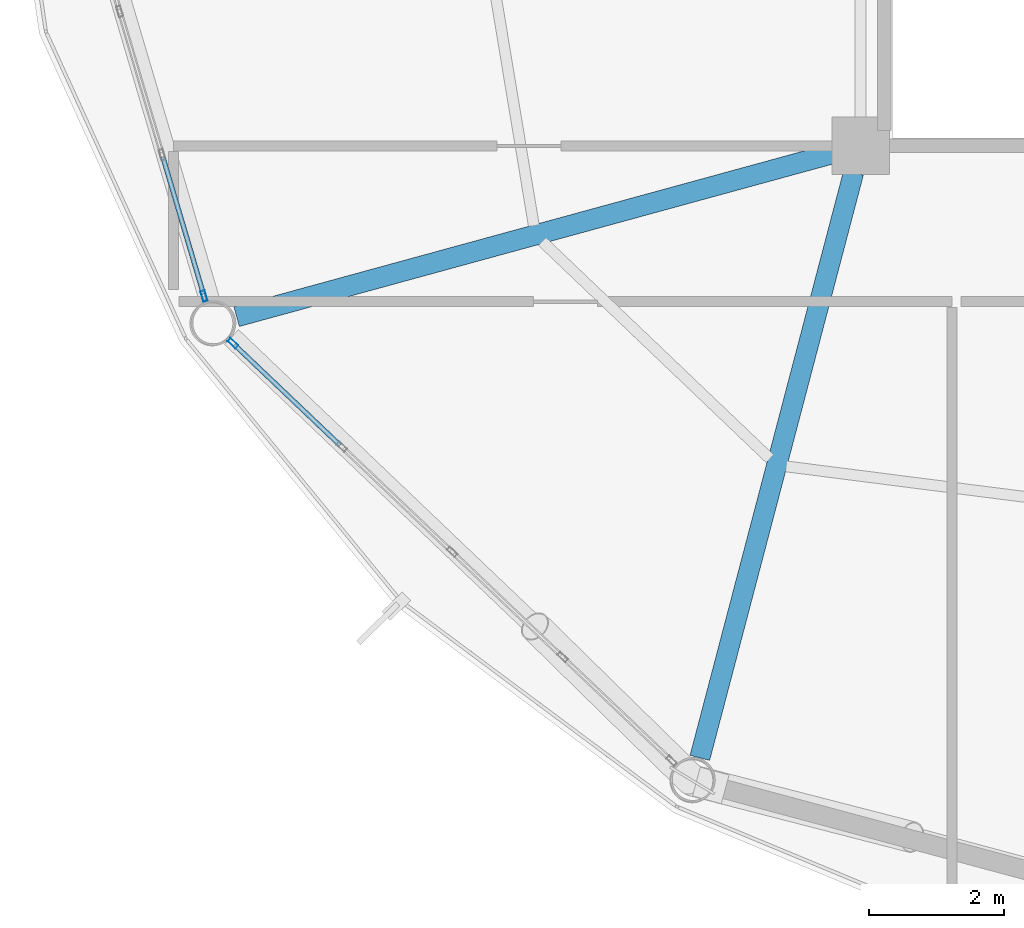
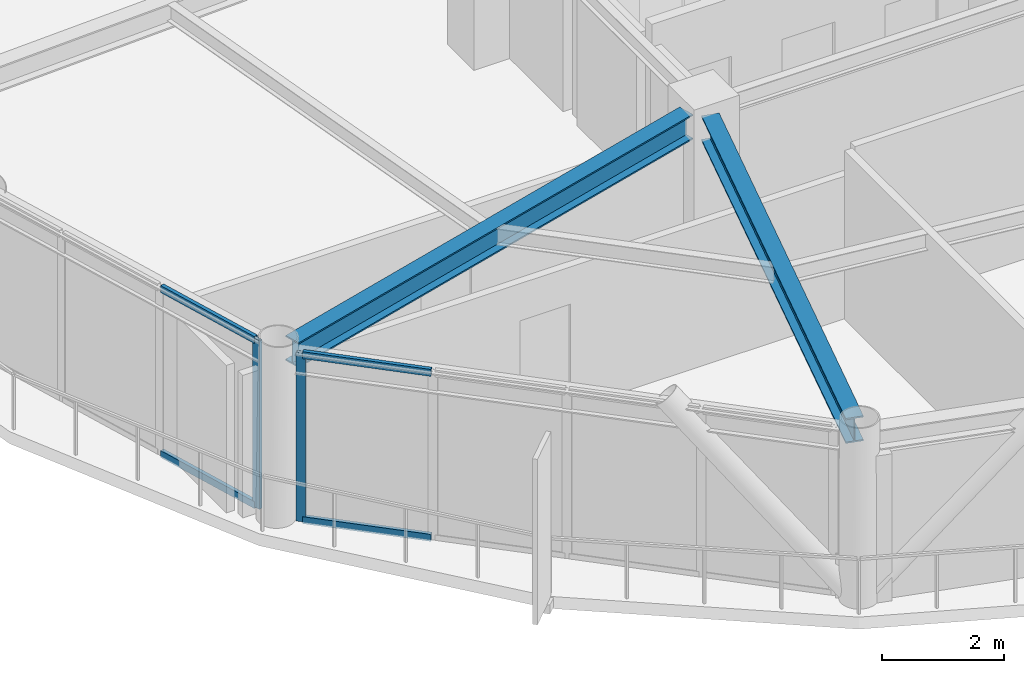
# One storey, part 4 of 28: 6 members, 2 beams, 2 elements without a shape of their own.
"""IFC4 building model written with IfcOpenShell, lengths in metres."""

from ifc_helpers import new_model, si_unit, direction, frame, origin, origin_2d, place, context, subcontext, project, spatial, hollow_rectangle, i_section, extrude, material, layer, layer_set, material_profile, profile_set, type_object, element, aggregate, save


model = new_model("IFC4")

# Units and contexts
model_context = context("Model", 3, precision=1e-05, world=origin(), true_north=direction((0.0, 1.0)))
body_context = subcontext(model_context, "Body", "Model", "MODEL_VIEW")
ifc_project = project(units=[si_unit("LENGTHUNIT", "METRE"), si_unit("AREAUNIT", "SQUARE_METRE"), si_unit("VOLUMEUNIT", "CUBIC_METRE"), si_unit("PLANEANGLEUNIT", "RADIAN"), si_unit("MASSUNIT", "GRAM", prefix="KILO")], contexts=[model_context])

# Site, building, storey
site_placement = place(None, origin())
site = spatial("IfcSite", under=ifc_project, at=site_placement, CompositionType="ELEMENT")
building_placement = place(site_placement, origin())
building = spatial("IfcBuilding", under=site, at=building_placement, Name="Varnakorn Sky Granary", CompositionType="ELEMENT")
storey_placement = place(building_placement, frame((0.0, 0.0, 193.199951171875)))
storey = spatial("IfcBuildingStorey", under=building, at=storey_placement, Name="L48", CompositionType="ELEMENT", Elevation=193.199951171875)

# Beams
ifc_material_1 = material(Name="Steel S355JR", Category="steel")
ifc_material_profile_1 = material_profile(ifc_material_1, i_section(OverallWidth=0.300048828125, OverallDepth=0.5, WebThickness=0.014404296875, FlangeThickness=0.028076171875, at=origin_2d()), Name="HE 500 B")
ifc_profile_set_1 = profile_set([ifc_material_profile_1], Name="Steel S355JR")
beam_type = type_object("IfcBeamType", Name="BM-RAD-Z4", PredefinedType="BEAM", material=ifc_profile_set_1)
beam_1_placement = place(storey_placement, frame((-2.740478515625, -6.706787109375, 3.110107421875), z_axis=(-0.96453014104, -0.263972739172, 0.0), x_axis=(0.263972739172, -0.96453014104, 0.0)))
element("IfcBeam", 1, at=beam_1_placement, inside=storey, type_object=beam_type, Name="Radial Floor Girder RG08 L48", PredefinedType="BEAM", context=body_context, shape_type="SweptSolid", body=[
    extrude(i_section(OverallWidth=0.300048828125, OverallDepth=0.5, WebThickness=0.014404296875, FlangeThickness=0.028076171875, at=origin_2d()), origin(), (0.0, 0.0, 1.0), 9.152587890625),
])
beam_2_placement = place(storey_placement, frame((-2.452880859375, -6.99169921875, 3.110107421875), z_axis=(-0.254043075232, -0.96719290523, 0.0), x_axis=(0.96719290523, -0.254043075232, 0.0)))
element("IfcBeam", 2, at=beam_2_placement, inside=storey, type_object=beam_type, Name="Radial Floor Girder RG09 L48", PredefinedType="BEAM", context=body_context, shape_type="SweptSolid", body=[
    extrude(i_section(OverallWidth=0.300048828125, OverallDepth=0.5, WebThickness=0.014404296875, FlangeThickness=0.028076171875, at=origin_2d()), origin(), (0.0, 0.0, 1.0), 8.9423828125),
])

# Curtain wall, member
ifc_material_2 = material(Name="Anodised Bronze Aluminium Alloy 6063-T6", Category="aluminium")
ifc_layer = layer(ifc_material_2, 0.169921875, Name="Anodised Bronze Aluminium Alloy 6063-T6")
ifc_layer_set = layer_set([ifc_layer], Name="Anodised Bronze Aluminium Alloy 6063-T6")
curtain_wall_type = type_object("IfcCurtainWallType", Name="CW-LAB-1", PredefinedType="USERDEFINED", material=ifc_layer_set)
curtain_wall_1_placement = place(storey_placement, origin())
curtain_wall_1 = element("IfcCurtainWall", 3, at=curtain_wall_1_placement, inside=storey, type_object=curtain_wall_type, Name="Unitised Curtain Wall CW5 CW-L48-B07", ObjectType="CURTAIN WALL", PredefinedType="USERDEFINED")
ifc_material_profile_2 = material_profile(ifc_material_2, hollow_rectangle(XDim=0.06494140625, YDim=0.159912109375, WallThickness=0.00341796875, at=origin_2d()), Name="ALU MULL 65x160")
ifc_profile_set_2 = profile_set([ifc_material_profile_2], Name="Anodised Bronze Aluminium Alloy 6063-T6")
member_type_1 = type_object("IfcMemberType", Name="CW-LAB-1-MULL", PredefinedType="MULLION", material=ifc_profile_set_2)
member_1_placement = place(storey_placement, frame((-12.050048828125, -8.81787109375, 0.0), z_axis=(0.0, 0.0, 1.0), x_axis=(-0.958847747694, -0.283920757858, 0.0)))
member_1 = element("IfcMember", 4, at=member_1_placement, type_object=member_type_1, Name="CW5 mullion 1", PredefinedType="MULLION", context=body_context, shape_type="SweptSolid", body=[
    extrude(hollow_rectangle(XDim=0.06494140625, YDim=0.159912109375, WallThickness=0.00341796875, at=origin_2d()), origin(), (0.0, 0.0, 1.0), 3.360107421875),
])

curtain_wall_2_placement = place(storey_placement, origin())
curtain_wall_2 = element("IfcCurtainWall", 5, at=curtain_wall_2_placement, inside=storey, type_object=curtain_wall_type, Name="Unitised Curtain Wall CW5 CW-L48-B08", ObjectType="CURTAIN WALL", PredefinedType="USERDEFINED")
member_2_placement = place(storey_placement, frame((-11.6240234375, -9.514404296875, 0.0), z_axis=(0.0, 0.0, 1.0), x_axis=(-0.689516343161, -0.724270123996, 0.0)))
member_2 = element("IfcMember", 6, at=member_2_placement, type_object=member_type_1, Name="CW5 mullion 5", PredefinedType="MULLION", context=body_context, shape_type="SweptSolid", body=[
    extrude(hollow_rectangle(XDim=0.06494140625, YDim=0.159912109375, WallThickness=0.00341796875, at=origin_2d()), origin(), (0.0, 0.0, 1.0), 3.360107421875),
])

# Member
ifc_material_profile_3 = material_profile(ifc_material_2, hollow_rectangle(XDim=0.070068359375, YDim=0.139892578125, WallThickness=0.00341796875, at=origin_2d()), Name="ALU TRAN 70x140")
ifc_profile_set_3 = profile_set([ifc_material_profile_3], Name="Anodised Bronze Aluminium Alloy 6063-T6")
member_type_2 = type_object("IfcMemberType", Name="CW-LAB-1-TRAN", PredefinedType="USERDEFINED", material=ifc_profile_set_3)
member_3_placement = place(storey_placement, frame((-12.059326171875, -8.78662109375, 0.03515625), z_axis=(-0.283899408526, 0.958854069105, 0.0), x_axis=(-0.958854069105, -0.283899408526, 0.0)))
member_3 = element("IfcMember", 7, at=member_3_placement, type_object=member_type_2, Name="CW5 transom 1.1", ObjectType="TRANSOM", PredefinedType="USERDEFINED", context=body_context, shape_type="SweptSolid", body=[
    extrude(hollow_rectangle(XDim=0.070068359375, YDim=0.139892578125, WallThickness=0.00341796875, at=origin_2d()), origin(), (0.0, 0.0, 1.0), 2.112060546875),
])

member_4_placement = place(storey_placement, frame((-12.059326171875, -8.78662109375, 3.324951171875), z_axis=(-0.283899408526, 0.958854069105, 0.0), x_axis=(-0.958854069105, -0.283899408526, 0.0)))
member_4 = element("IfcMember", 8, at=member_4_placement, type_object=member_type_2, Name="CW5 transom 1.2", ObjectType="TRANSOM", PredefinedType="USERDEFINED", context=body_context, shape_type="SweptSolid", body=[
    extrude(hollow_rectangle(XDim=0.070068359375, YDim=0.139892578125, WallThickness=0.00341796875, at=origin_2d()), origin(), (0.0, 0.0, 1.0), 2.112060546875),
])

aggregate(curtain_wall_1, [member_1, member_3, member_4])

member_5_placement = place(storey_placement, frame((-10.039306640625, -11.02294921875, 0.03515625), z_axis=(-0.724277972216, 0.689508099273, 0.0), x_axis=(-0.689508099273, -0.724277972216, 0.0)))
member_5 = element("IfcMember", 9, at=member_5_placement, type_object=member_type_2, Name="CW5 transom 4.1", ObjectType="TRANSOM", PredefinedType="USERDEFINED", context=body_context, shape_type="SweptSolid", body=[
    extrude(hollow_rectangle(XDim=0.070068359375, YDim=0.139892578125, WallThickness=0.00341796875, at=origin_2d()), origin(), (0.0, 0.0, 1.0), 2.155517578125),
])

member_6_placement = place(storey_placement, frame((-10.039306640625, -11.02294921875, 3.324951171875), z_axis=(-0.724277972216, 0.689508099273, 0.0), x_axis=(-0.689508099273, -0.724277972216, 0.0)))
member_6 = element("IfcMember", 10, at=member_6_placement, type_object=member_type_2, Name="CW5 transom 4.2", ObjectType="TRANSOM", PredefinedType="USERDEFINED", context=body_context, shape_type="SweptSolid", body=[
    extrude(hollow_rectangle(XDim=0.070068359375, YDim=0.139892578125, WallThickness=0.00341796875, at=origin_2d()), origin(), (0.0, 0.0, 1.0), 2.155517578125),
])

aggregate(curtain_wall_2, [member_2, member_5, member_6])

save(model, "model.ifc")
